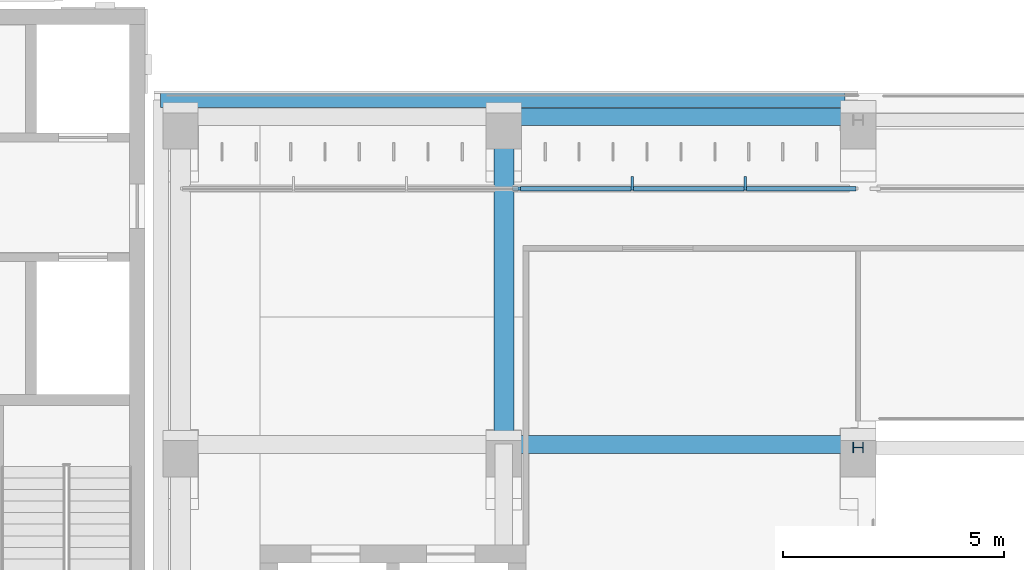
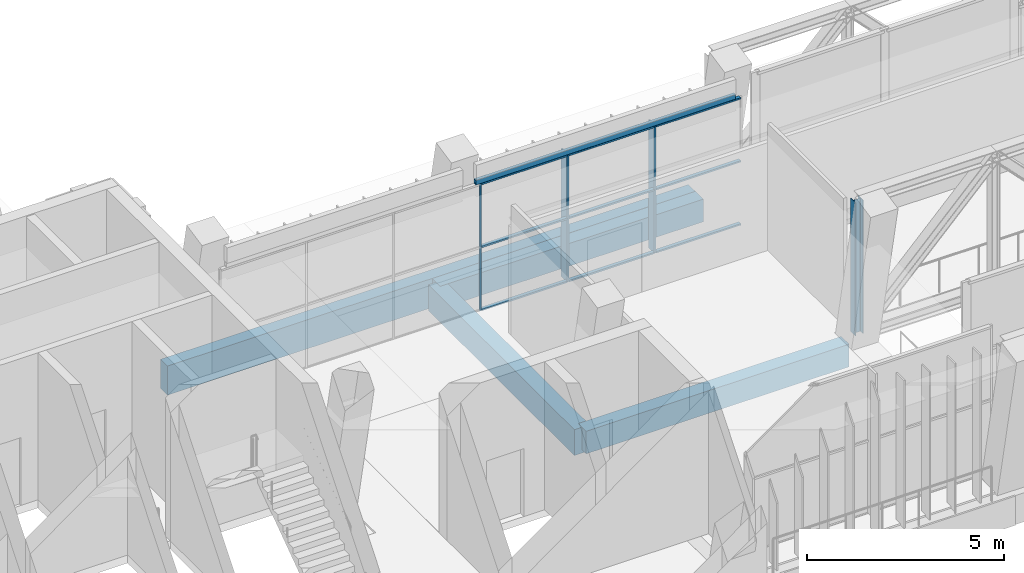
# One storey, part 35 of 141: 13 members, 5 beams, 1 element without a shape of its own.
"""IFC4 building model written with IfcOpenShell, lengths in metres."""

from ifc_helpers import new_model, si_unit, direction, frame, origin, origin_2d, place, context, subcontext, project, spatial, rectangle, hollow_rectangle, i_section, extrude, material, material_profile, profile_set, type_object, element, aggregate, save


model = new_model("IFC4")

# Units and contexts
model_context = context("Model", 3, precision=1e-05, world=origin(), true_north=direction((0.0, 1.0)))
body_context = subcontext(model_context, "Body", "Model", "MODEL_VIEW")
ifc_project = project(units=[si_unit("LENGTHUNIT", "METRE"), si_unit("AREAUNIT", "SQUARE_METRE"), si_unit("VOLUMEUNIT", "CUBIC_METRE"), si_unit("PLANEANGLEUNIT", "RADIAN"), si_unit("MASSUNIT", "GRAM", prefix="KILO")], contexts=[model_context])

# Site, building, storey
site_placement = place(None, origin())
site = spatial("IfcSite", under=ifc_project, at=site_placement, CompositionType="ELEMENT")
building_placement = place(site_placement, origin())
building = spatial("IfcBuilding", under=site, at=building_placement, Name="Lantern Court Media Centre", CompositionType="ELEMENT")
storey_placement = place(building_placement, frame((0.0, 0.0, 9.60009765625)))
storey = spatial("IfcBuildingStorey", under=building, at=storey_placement, Name="L02", CompositionType="ELEMENT", Elevation=9.60009765625)

# Curtain wall, members
ifc_material_1 = material(Name="Curtain wall bay 2400")
curtain_wall_type = type_object("IfcCurtainWallType", Name="Curtain wall bay 2400", PredefinedType="NOTDEFINED", material=ifc_material_1)
curtain_wall_placement = place(storey_placement, origin())
curtain_wall = element("IfcCurtainWall", 1, at=curtain_wall_placement, inside=storey, type_object=curtain_wall_type, Name="Curtain wall S inner L02", PredefinedType="NOTDEFINED")
ifc_material_2 = material(Name="Anodised aluminium", Category="aluminium")
ifc_material_profile_1 = material_profile(ifc_material_2, rectangle(XDim=0.300048828125, YDim=0.050048828125, at=origin_2d()), Name="AL 50x300")
ifc_profile_set_1 = profile_set([ifc_material_profile_1], Name="Anodised aluminium")
member_type_1 = type_object("IfcMemberType", Name="Curtain wall mullion 50x300", PredefinedType="MULLION", material=ifc_profile_set_1)
member_1_placement = place(storey_placement, frame((34.89990234375, 59.969970703125, 0.0), z_axis=(0.0, 0.0, 1.0), x_axis=(0.0, 1.0, 0.0)))
member_1 = element("IfcMember", 2, at=member_1_placement, type_object=member_type_1, Name="CW2 mullion 5", PredefinedType="MULLION", context=body_context, shape_type="SweptSolid", body=[
    extrude(rectangle(XDim=0.300048828125, YDim=0.050048828125, at=origin_2d()), origin(), (0.0, 0.0, 1.0), 3.949951171875),
])
member_2_placement = place(storey_placement, frame((37.449951171875, 59.969970703125, 0.0), z_axis=(0.0, 0.0, 1.0), x_axis=(0.0, 1.0, 0.0)))
member_2 = element("IfcMember", 3, at=member_2_placement, type_object=member_type_1, Name="CW2 mullion 6", PredefinedType="MULLION", context=body_context, shape_type="SweptSolid", body=[
    extrude(rectangle(XDim=0.300048828125, YDim=0.050048828125, at=origin_2d()), origin(), (0.0, 0.0, 1.0), 3.949951171875),
])
ifc_material_profile_2 = material_profile(ifc_material_2, rectangle(XDim=0.06005859375, YDim=0.050048828125, at=origin_2d()), Name="AL 50x60")
ifc_profile_set_2 = profile_set([ifc_material_profile_2], Name="Anodised aluminium")
member_type_2 = type_object("IfcMemberType", Name="Curtain wall mullion 50x60", PredefinedType="MULLION", material=ifc_profile_set_2)
member_3_placement = place(storey_placement, frame((32.35009765625, 59.85009765625, 0.0), z_axis=(0.0, 0.0, 1.0), x_axis=(0.0, 1.0, 0.0)))
member_3 = element("IfcMember", 4, at=member_3_placement, type_object=member_type_2, Name="CW2 mullion 4", PredefinedType="MULLION", context=body_context, shape_type="SweptSolid", body=[
    extrude(rectangle(XDim=0.06005859375, YDim=0.050048828125, at=origin_2d()), origin(), (0.0, 0.0, 1.0), 3.949951171875),
])
ifc_material_profile_3 = material_profile(ifc_material_2, rectangle(XDim=0.10009765625, YDim=0.050048828125, at=origin_2d()), Name="AL 50x100")
ifc_profile_set_3 = profile_set([ifc_material_profile_3], Name="Anodised aluminium")
member_type_3 = type_object("IfcMemberType", Name="Curtain wall transom 100x50", PredefinedType="USERDEFINED", material=ifc_profile_set_3)
member_4_placement = place(storey_placement, frame((32.375, 59.85009765625, 0.02490234375), z_axis=(1.0, 0.0, 0.0), x_axis=(0.0, 1.0, 0.0)))
member_4 = element("IfcMember", 5, at=member_4_placement, type_object=member_type_3, Name="CW2 transom 4.1", ObjectType="TRANSOM", PredefinedType="USERDEFINED", context=body_context, shape_type="SweptSolid", body=[
    extrude(rectangle(XDim=0.10009765625, YDim=0.050048828125, at=origin_2d()), origin(), (0.0, 0.0, 1.0), 2.5),
])
member_5_placement = place(storey_placement, frame((32.375, 59.85009765625, 1.974853515625), z_axis=(1.0, 0.0, 0.0), x_axis=(0.0, 1.0, 0.0)))
member_5 = element("IfcMember", 6, at=member_5_placement, type_object=member_type_3, Name="CW2 transom 4.2", ObjectType="TRANSOM", PredefinedType="USERDEFINED", context=body_context, shape_type="SweptSolid", body=[
    extrude(rectangle(XDim=0.10009765625, YDim=0.050048828125, at=origin_2d()), origin(), (0.0, 0.0, 1.0), 2.5),
])
member_6_placement = place(storey_placement, frame((32.375, 59.85009765625, 3.9248046875), z_axis=(1.0, 0.0, 0.0), x_axis=(0.0, 1.0, 0.0)))
member_6 = element("IfcMember", 7, at=member_6_placement, type_object=member_type_3, Name="CW2 transom 4.3", ObjectType="TRANSOM", PredefinedType="USERDEFINED", context=body_context, shape_type="SweptSolid", body=[
    extrude(rectangle(XDim=0.10009765625, YDim=0.050048828125, at=origin_2d()), origin(), (0.0, 0.0, 1.0), 2.5),
])
member_7_placement = place(storey_placement, frame((34.925048828125, 59.85009765625, 0.02490234375), z_axis=(1.0, 0.0, 0.0), x_axis=(0.0, 1.0, 0.0)))
member_7 = element("IfcMember", 8, at=member_7_placement, type_object=member_type_3, Name="CW2 transom 5.1", ObjectType="TRANSOM", PredefinedType="USERDEFINED", context=body_context, shape_type="SweptSolid", body=[
    extrude(rectangle(XDim=0.10009765625, YDim=0.050048828125, at=origin_2d()), origin(), (0.0, 0.0, 1.0), 2.5),
])
member_8_placement = place(storey_placement, frame((34.925048828125, 59.85009765625, 1.974853515625), z_axis=(1.0, 0.0, 0.0), x_axis=(0.0, 1.0, 0.0)))
member_8 = element("IfcMember", 9, at=member_8_placement, type_object=member_type_3, Name="CW2 transom 5.2", ObjectType="TRANSOM", PredefinedType="USERDEFINED", context=body_context, shape_type="SweptSolid", body=[
    extrude(rectangle(XDim=0.10009765625, YDim=0.050048828125, at=origin_2d()), origin(), (0.0, 0.0, 1.0), 2.5),
])
member_9_placement = place(storey_placement, frame((34.925048828125, 59.85009765625, 3.9248046875), z_axis=(1.0, 0.0, 0.0), x_axis=(0.0, 1.0, 0.0)))
member_9 = element("IfcMember", 10, at=member_9_placement, type_object=member_type_3, Name="CW2 transom 5.3", ObjectType="TRANSOM", PredefinedType="USERDEFINED", context=body_context, shape_type="SweptSolid", body=[
    extrude(rectangle(XDim=0.10009765625, YDim=0.050048828125, at=origin_2d()), origin(), (0.0, 0.0, 1.0), 2.5),
])
member_10_placement = place(storey_placement, frame((37.47509765625, 59.85009765625, 0.02490234375), z_axis=(1.0, 0.0, 0.0), x_axis=(0.0, 1.0, 0.0)))
member_10 = element("IfcMember", 11, at=member_10_placement, type_object=member_type_3, Name="CW2 transom 6.1", ObjectType="TRANSOM", PredefinedType="USERDEFINED", context=body_context, shape_type="SweptSolid", body=[
    extrude(rectangle(XDim=0.10009765625, YDim=0.050048828125, at=origin_2d()), origin(), (0.0, 0.0, 1.0), 2.474853515625),
])
member_11_placement = place(storey_placement, frame((37.47509765625, 59.85009765625, 1.974853515625), z_axis=(1.0, 0.0, 0.0), x_axis=(0.0, 1.0, 0.0)))
member_11 = element("IfcMember", 12, at=member_11_placement, type_object=member_type_3, Name="CW2 transom 6.2", ObjectType="TRANSOM", PredefinedType="USERDEFINED", context=body_context, shape_type="SweptSolid", body=[
    extrude(rectangle(XDim=0.10009765625, YDim=0.050048828125, at=origin_2d()), origin(), (0.0, 0.0, 1.0), 2.474853515625),
])
member_12_placement = place(storey_placement, frame((37.47509765625, 59.85009765625, 3.9248046875), z_axis=(1.0, 0.0, 0.0), x_axis=(0.0, 1.0, 0.0)))
member_12 = element("IfcMember", 13, at=member_12_placement, type_object=member_type_3, Name="CW2 transom 6.3", ObjectType="TRANSOM", PredefinedType="USERDEFINED", context=body_context, shape_type="SweptSolid", body=[
    extrude(rectangle(XDim=0.10009765625, YDim=0.050048828125, at=origin_2d()), origin(), (0.0, 0.0, 1.0), 2.474853515625),
])
aggregate(curtain_wall, [member_3, member_1, member_2, member_4, member_5, member_6, member_7, member_8, member_9, member_10, member_11, member_12])

# Member
ifc_material_3 = material(Name="Steel S355J2 (EN 10025-2)", Category="steel")
ifc_material_profile_4 = material_profile(ifc_material_3, i_section(OverallWidth=0.239990234375, OverallDepth=0.239990234375, WebThickness=0.010009765625, FlangeThickness=0.01708984375, FilletRadius=0.02099609375, at=origin_2d()), Name="HEB 240")
ifc_profile_set_4 = profile_set([ifc_material_profile_4], Name="Steel S355J2 (EN 10025-2)")
member_type_4 = type_object("IfcMemberType", Name="Entrance transfer truss vertical HEB 240", PredefinedType="POST", material=ifc_profile_set_4)
member_13_placement = place(storey_placement, frame((40.0, 54.0, 0.1884765625), z_axis=(0.0, 0.0, 1.0), x_axis=(0.0, 1.0, 0.0)))
element("IfcMember", 14, at=member_13_placement, inside=storey, type_object=member_type_4, Name="Transfer truss 2 vertical 1", PredefinedType="POST", context=body_context, shape_type="SweptSolid", body=[
    extrude(i_section(OverallWidth=0.239990234375, OverallDepth=0.239990234375, WebThickness=0.010009765625, FlangeThickness=0.01708984375, FilletRadius=0.02099609375, at=origin_2d()), origin(), (0.0, 0.0, 1.0), 4.123046875),
])

# Beams
ifc_material_profile_5 = material_profile(ifc_material_3, hollow_rectangle(XDim=0.10009765625, YDim=0.14990234375, WallThickness=0.00634765625, InnerFilletRadius=0.00634765625, OuterFilletRadius=0.009521484375, at=origin_2d()), Name="Facade head lintel RHS 150x100x6.3")
ifc_profile_set_5 = profile_set([ifc_material_profile_5], Name="Steel S355J2 (EN 10025-2)")
beam_type_1 = type_object("IfcBeamType", Name="Facade head lintel RHS 150x100x6.3", PredefinedType="BEAM", material=ifc_profile_set_5)
beam_1_placement = place(storey_placement, frame((32.199951171875, 59.85009765625, 4.02490234375), z_axis=(1.0, 0.0, 0.0), x_axis=(0.0, 1.0, 0.0)))
element("IfcBeam", 15, at=beam_1_placement, inside=storey, type_object=beam_type_1, Name="Facade head lintel S L02", PredefinedType="BEAM", context=body_context, shape_type="SweptSolid", body=[
    extrude(hollow_rectangle(XDim=0.10009765625, YDim=0.14990234375, WallThickness=0.00634765625, InnerFilletRadius=0.00634765625, OuterFilletRadius=0.009521484375, at=origin_2d()), origin(), (0.0, 0.0, 1.0), 7.60009765625),
])
ifc_material_4 = material(Name="Concrete C35", Category="concrete")
ifc_material_profile_6 = material_profile(ifc_material_4, rectangle(XDim=0.35009765625, YDim=0.89990234375, at=origin_2d()), Name="RC 350x900")
ifc_profile_set_6 = profile_set([ifc_material_profile_6], Name="Concrete C35")
beam_type_2 = type_object("IfcBeamType", Name="RC BEAM 350x900", PredefinedType="BEAM", material=ifc_profile_set_6)
beam_2_placement = place(storey_placement, frame((24.25, 61.85009765625, -0.4501953125), z_axis=(1.0, 0.0, 0.0), x_axis=(0.0, 1.0, 0.0)))
element("IfcBeam", 16, at=beam_2_placement, inside=storey, type_object=beam_type_2, Name="EB-S-L02-B", PredefinedType="BEAM", context=body_context, shape_type="SweptSolid", body=[
    extrude(rectangle(XDim=0.35009765625, YDim=0.89990234375, at=origin_2d()), origin(), (0.0, 0.0, 1.0), 15.449951171875),
])
ifc_material_profile_7 = material_profile(ifc_material_4, rectangle(XDim=0.39990234375, YDim=0.699951171875, at=origin_2d()), Name="RC 400x700")
ifc_profile_set_7 = profile_set([ifc_material_profile_7], Name="Concrete C35")
beam_type_3 = type_object("IfcBeamType", Name="RC BEAM 400x700", PredefinedType="BEAM", material=ifc_profile_set_7)
for number, where, z_axis, x_axis, name in (
    (17, (32.0, 54.072998046875, -0.35009765625), (1.0, 0.0, 0.0), (0.0, 1.0, 0.0), "LB-S-L02-1-1"),
    (18, (32.0, 61.472900390625, -0.35009765625), (1.0, 0.0, 0.0), (0.0, 1.0, 0.0), "LB-S-L02-2-1"),
):
    element("IfcBeam", number, at=place(storey_placement, frame(where, z_axis=z_axis, x_axis=x_axis)), inside=storey, type_object=beam_type_3, Name=name, PredefinedType="BEAM", context=body_context, shape_type="SweptSolid", body=[
        extrude(rectangle(XDim=0.39990234375, YDim=0.699951171875, at=origin_2d()), origin(), (0.0, 0.0, 1.0), 7.699951171875),
    ])
ifc_material_profile_8 = material_profile(ifc_material_4, rectangle(XDim=0.449951171875, YDim=0.800048828125, at=origin_2d()), Name="RC 450x800")
ifc_profile_set_8 = profile_set([ifc_material_profile_8], Name="Concrete C35")
beam_type_4 = type_object("IfcBeamType", Name="RC BEAM 450x800", PredefinedType="BEAM", material=ifc_profile_set_8)
beam_3_placement = place(storey_placement, frame((32.0, 54.083251953125, -0.400146484375), z_axis=(0.0, 1.0, 0.0), x_axis=(-1.0, 0.0, 0.0)))
element("IfcBeam", 19, at=beam_3_placement, inside=storey, type_object=beam_type_4, Name="TB-S-L02-1-2", PredefinedType="BEAM", context=body_context, shape_type="SweptSolid", body=[
    extrude(rectangle(XDim=0.449951171875, YDim=0.800048828125, at=origin_2d()), origin(), (0.0, 0.0, 1.0), 7.400146484375),
])

save(model, "model.ifc")
